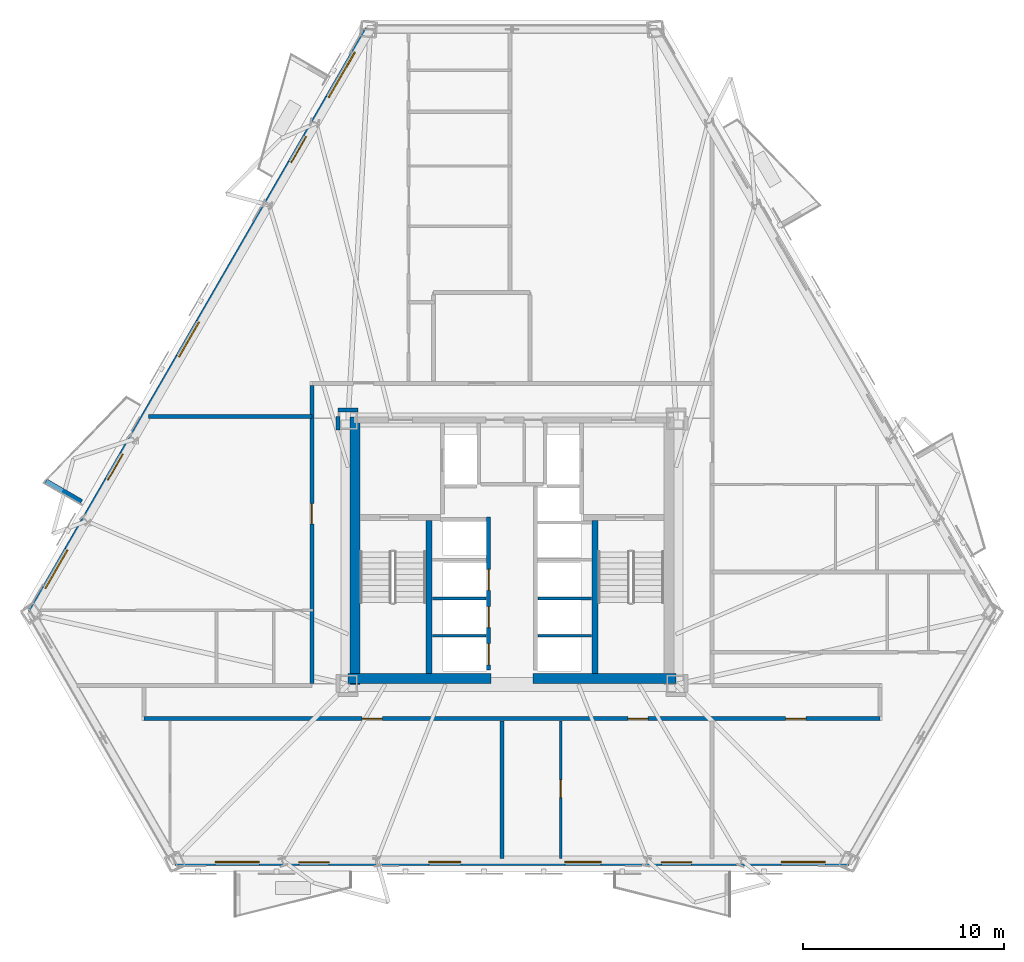
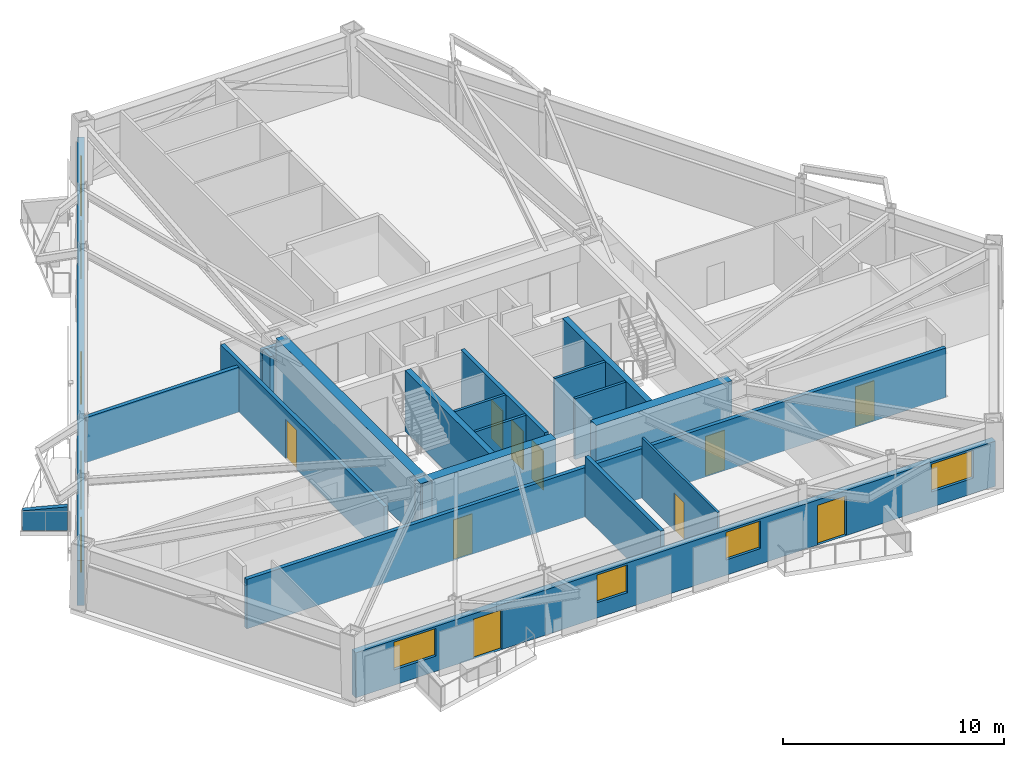
# One storey, part 3 of 10: 20 walls, 12 doors, 7 windows, 19 openings.
"""IFC4 building model written with IfcOpenShell, lengths in metres."""

from ifc_helpers import new_model, si_unit, direction, frame, frame_2d, origin, place, context, subcontext, project, spatial, polyline, rectangle, outline, extrude, material, layer, layer_set, type_object, element, fill, save


model = new_model("IFC4")

# Units and contexts
model_context = context("Model", 3, precision=1e-05, world=origin(), true_north=direction((0.0, 1.0)))
body_context = subcontext(model_context, "Body", "Model", "MODEL_VIEW")
ifc_project = project(units=[si_unit("LENGTHUNIT", "METRE"), si_unit("AREAUNIT", "SQUARE_METRE"), si_unit("VOLUMEUNIT", "CUBIC_METRE"), si_unit("PLANEANGLEUNIT", "RADIAN"), si_unit("MASSUNIT", "GRAM", prefix="KILO")], contexts=[model_context])

# Site, building, storey
site_placement = place(None, origin())
site = spatial("IfcSite", under=ifc_project, at=site_placement, CompositionType="ELEMENT")
building_placement = place(site_placement, origin())
building = spatial("IfcBuilding", under=site, at=building_placement, Name="Oramaril Tower", CompositionType="ELEMENT")
storey_placement = place(building_placement, frame((0.0, 0.0, 56.10009765625)))
storey = spatial("IfcBuildingStorey", under=building, at=storey_placement, Name="L14", CompositionType="ELEMENT", Elevation=56.10009765625)

# Wall, openings, doors, windows
ifc_material_1 = material(Name="Warm Cream Limestone", Category="masonry")
ifc_layer_1 = layer(ifc_material_1, 0.340087890625)
ifc_layer_set_1 = layer_set([ifc_layer_1], Name="WT-EXT34")
wall_type_1 = type_object("IfcWallType", Name="WT-EXT34", PredefinedType="SOLIDWALL", material=ifc_layer_set_1)
wall_1_placement = place(storey_placement, frame((20.753173828125, 2.17626953125, 0.0), z_axis=(0.0, 0.0, 1.0), x_axis=(1.0, 0.0, 0.0)))
wall_1 = element("IfcWall", 1, at=wall_1_placement, inside=storey, type_object=wall_type_1, Name="L14 Tower Limestone Facade Wall 2M", PredefinedType="SOLIDWALL", context=body_context, shape_type="SweptSolid", body=[
    extrude(rectangle(XDim=33.49365234375, YDim=0.340087890625, at=frame_2d((16.746826171875, 0.0))), origin(), (0.0, 0.0, 1.0), 2.493896484375),
])
opening_1_placement = place(wall_1_placement, frame((6.159423828125, 0.0, 0.0)))
opening_1 = element("IfcOpeningElement", 2, at=opening_1_placement, cuts=wall_1, Name="Opening D-L14-BAL-S1", PredefinedType="OPENING", context=body_context, shape_type="SweptSolid", body=[
    extrude(rectangle(XDim=1.5, YDim=2.199951171875, at=frame_2d((0.75, 1.10009765625))), frame((0.0, 0.169921875, 0.0), z_axis=(0.0, -1.0, 0.0), x_axis=(1.0, 0.0, 0.0)), (0.0, 0.0, 1.0), 0.340087890625),
])
opening_2_placement = place(wall_1_placement, frame((24.16943359375, 0.0, 0.0)))
opening_2 = element("IfcOpeningElement", 3, at=opening_2_placement, cuts=wall_1, Name="Opening D-L14-BAL-S2", PredefinedType="OPENING", context=body_context, shape_type="SweptSolid", body=[
    extrude(rectangle(XDim=1.5, YDim=2.199951171875, at=frame_2d((0.75, 1.10009765625))), frame((0.0, 0.169921875, 0.0), z_axis=(0.0, -1.0, 0.0), x_axis=(1.0, 0.0, 0.0)), (0.0, 0.0, 1.0), 0.340087890625),
])
opening_3_placement = place(wall_1_placement, frame((1.99365234375, 0.0, 0.85009765625)))
opening_3 = element("IfcOpeningElement", 4, at=opening_3_placement, cuts=wall_1, Name="Opening WN-04", PredefinedType="OPENING", context=body_context, shape_type="SweptSolid", body=[
    extrude(rectangle(XDim=2.199951171875, YDim=1.533935546875, at=frame_2d((1.10009765625, 0.76708984375))), frame((0.0, 0.169921875, 0.0), z_axis=(0.0, -1.0, 0.0), x_axis=(1.0, 0.0, 0.0)), (0.0, 0.0, 1.0), 0.340087890625),
])
opening_4_placement = place(wall_1_placement, frame((12.61181640625, 0.0, 0.85009765625)))
opening_4 = element("IfcOpeningElement", 5, at=opening_4_placement, cuts=wall_1, Name="Opening WN-07", PredefinedType="OPENING", context=body_context, shape_type="SweptSolid", body=[
    extrude(rectangle(XDim=1.60009765625, YDim=1.533935546875, at=frame_2d((0.800048828125, 0.76708984375))), frame((0.0, 0.169921875, 0.0), z_axis=(0.0, -1.0, 0.0), x_axis=(1.0, 0.0, 0.0)), (0.0, 0.0, 1.0), 0.340087890625),
])
opening_5_placement = place(wall_1_placement, frame((19.377685546875, 0.0, 0.85009765625)))
opening_5 = element("IfcOpeningElement", 6, at=opening_5_placement, cuts=wall_1, Name="Opening WN-06", PredefinedType="OPENING", context=body_context, shape_type="SweptSolid", body=[
    extrude(rectangle(XDim=1.800048828125, YDim=1.533935546875, at=frame_2d((0.89990234375, 0.76708984375))), frame((0.0, 0.169921875, 0.0), z_axis=(0.0, -1.0, 0.0), x_axis=(1.0, 0.0, 0.0)), (0.0, 0.0, 1.0), 0.340087890625),
])
opening_6_placement = place(wall_1_placement, frame((30.118896484375, 0.0, 0.85009765625)))
opening_6 = element("IfcOpeningElement", 7, at=opening_6_placement, cuts=wall_1, Name="Opening WN-04", PredefinedType="OPENING", context=body_context, shape_type="SweptSolid", body=[
    extrude(rectangle(XDim=2.199951171875, YDim=1.533935546875, at=frame_2d((1.10009765625, 0.76708984375))), frame((0.0, 0.169921875, 0.0), z_axis=(0.0, -1.0, 0.0), x_axis=(1.0, 0.0, 0.0)), (0.0, 0.0, 1.0), 0.340087890625),
])
ifc_material_2 = material(Name="Anodised Aluminium 6063-T6", Category="aluminium")
door_type_1 = type_object("IfcDoorType", Name="DT-BAL", OperationType="NOTDEFINED", PredefinedType="DOOR", material=ifc_material_2)
door_1_placement = place(opening_1_placement, origin())
door_1 = element("IfcDoor", 8, at=door_1_placement, inside=storey, type_object=door_type_1, Name="L14 Balcony Glazed Door L14-BAL-S1", OperationType="SINGLE_SWING_LEFT", OverallHeight=2.199951171875, OverallWidth=1.5, PredefinedType="DOOR", context=body_context, shape_type="SweptSolid", body=[
    extrude(rectangle(XDim=1.5, YDim=2.199951171875, at=frame_2d((0.75, 1.10009765625))), frame((0.0, 0.02490234375, 0.0), z_axis=(0.0, -1.0, 0.0), x_axis=(1.0, 0.0, 0.0)), (0.0, 0.0, 1.0), 0.050048828125),
])
fill(opening_1, door_1)
door_2_placement = place(opening_2_placement, origin())
door_2 = element("IfcDoor", 9, at=door_2_placement, inside=storey, type_object=door_type_1, Name="L14 Balcony Glazed Door L14-BAL-S2", OperationType="SINGLE_SWING_RIGHT", OverallHeight=2.199951171875, OverallWidth=1.5, PredefinedType="DOOR", context=body_context, shape_type="SweptSolid", body=[
    extrude(rectangle(XDim=1.5, YDim=2.199951171875, at=frame_2d((0.75, 1.10009765625))), frame((0.0, 0.02490234375, 0.0), z_axis=(0.0, -1.0, 0.0), x_axis=(1.0, 0.0, 0.0)), (0.0, 0.0, 1.0), 0.050048828125),
])
fill(opening_2, door_2)
ifc_material_3 = material(Name="Coastal Low-E Insulated Glass", Category="glass")
window_type_1 = type_object("IfcWindowType", Name="WNT-04", PartitioningType="SINGLE_PANEL", PredefinedType="WINDOW", material=ifc_material_3)
window_1_placement = place(opening_3_placement, origin())
window_1 = element("IfcWindow", 10, at=window_1_placement, inside=storey, type_object=window_type_1, Name="L14 Chicago Bay Window WN-04", OverallHeight=1.533935546875, OverallWidth=2.199951171875, PartitioningType="SINGLE_PANEL", PredefinedType="WINDOW", context=body_context, shape_type="SweptSolid", body=[
    extrude(rectangle(XDim=2.199951171875, YDim=1.533935546875, at=frame_2d((1.10009765625, 0.76708984375))), frame((0.0, 0.030029296875, 0.0), z_axis=(0.0, -1.0, 0.0), x_axis=(1.0, 0.0, 0.0)), (0.0, 0.0, 1.0), 0.06005859375),
])
fill(opening_3, window_1)
window_2_placement = place(opening_6_placement, origin())
window_2 = element("IfcWindow", 11, at=window_2_placement, inside=storey, type_object=window_type_1, Name="L14 Chicago Bay Window WN-04", OverallHeight=1.533935546875, OverallWidth=2.199951171875, PartitioningType="SINGLE_PANEL", PredefinedType="WINDOW", context=body_context, shape_type="SweptSolid", body=[
    extrude(rectangle(XDim=2.199951171875, YDim=1.533935546875, at=frame_2d((1.10009765625, 0.76708984375))), frame((0.0, 0.030029296875, 0.0), z_axis=(0.0, -1.0, 0.0), x_axis=(1.0, 0.0, 0.0)), (0.0, 0.0, 1.0), 0.06005859375),
])
fill(opening_6, window_2)
ifc_material_4 = material(Name="Coastal Low-E Insulated Glass", Category="glass")
window_type_2 = type_object("IfcWindowType", Name="WNT-06", PartitioningType="SINGLE_PANEL", PredefinedType="WINDOW", material=ifc_material_4)
window_3_placement = place(opening_5_placement, origin())
window_3 = element("IfcWindow", 12, at=window_3_placement, inside=storey, type_object=window_type_2, Name="L14 Chicago Bay Window WN-06", OverallHeight=1.533935546875, OverallWidth=1.800048828125, PartitioningType="SINGLE_PANEL", PredefinedType="WINDOW", context=body_context, shape_type="SweptSolid", body=[
    extrude(rectangle(XDim=1.800048828125, YDim=1.533935546875, at=frame_2d((0.89990234375, 0.76708984375))), frame((0.0, 0.030029296875, 0.0), z_axis=(0.0, -1.0, 0.0), x_axis=(1.0, 0.0, 0.0)), (0.0, 0.0, 1.0), 0.06005859375),
])
fill(opening_5, window_3)
ifc_material_5 = material(Name="Coastal Low-E Insulated Glass", Category="glass")
window_type_3 = type_object("IfcWindowType", Name="WNT-07", PartitioningType="SINGLE_PANEL", PredefinedType="WINDOW", material=ifc_material_5)
window_4_placement = place(opening_4_placement, origin())
window_4 = element("IfcWindow", 13, at=window_4_placement, inside=storey, type_object=window_type_3, Name="L14 Chicago Bay Window WN-07", OverallHeight=1.533935546875, OverallWidth=1.60009765625, PartitioningType="SINGLE_PANEL", PredefinedType="WINDOW", context=body_context, shape_type="SweptSolid", body=[
    extrude(rectangle(XDim=1.60009765625, YDim=1.533935546875, at=frame_2d((0.800048828125, 0.76708984375))), frame((0.0, 0.030029296875, 0.0), z_axis=(0.0, -1.0, 0.0), x_axis=(1.0, 0.0, 0.0)), (0.0, 0.0, 1.0), 0.06005859375),
])
fill(opening_4, window_4)

wall_2_placement = place(storey_placement, frame((30.35107421875, 43.565185546875, 0.0), z_axis=(0.0, 0.0, 1.0), x_axis=(-0.500002389912, -0.866024023964, 0.0)))
wall_2 = element("IfcWall", 14, at=wall_2_placement, inside=storey, type_object=wall_type_1, Name="L14 Tower Limestone Facade Wall 6M", PredefinedType="SOLIDWALL", context=body_context, shape_type="SweptSolid", body=[
    extrude(rectangle(XDim=33.493896484375, YDim=0.340087890625, at=frame_2d((16.7470703125, 0.0))), origin(), (0.0, 0.0, 1.0), 2.493896484375),
])
opening_7_placement = place(wall_2_placement, frame((6.159423828125, 0.0, 0.0)))
opening_7 = element("IfcOpeningElement", 15, at=opening_7_placement, cuts=wall_2, Name="Opening D-L14-BAL-NW1", PredefinedType="OPENING", context=body_context, shape_type="SweptSolid", body=[
    extrude(rectangle(XDim=1.5, YDim=2.199951171875, at=frame_2d((0.75, 1.10009765625))), frame((0.0, 0.169921875, 0.0), z_axis=(0.0, -1.0, 0.0), x_axis=(1.0, 0.0, 0.0)), (0.0, 0.0, 1.0), 0.340087890625),
])
opening_8_placement = place(wall_2_placement, frame((24.37939453125, 0.0, 0.0)))
opening_8 = element("IfcOpeningElement", 16, at=opening_8_placement, cuts=wall_2, Name="Opening D-L14-BAL-NW2", PredefinedType="OPENING", context=body_context, shape_type="SweptSolid", body=[
    extrude(rectangle(XDim=1.5, YDim=2.199951171875, at=frame_2d((0.75, 1.10009765625))), frame((0.0, 0.169921875, 0.0), z_axis=(0.0, -1.0, 0.0), x_axis=(1.0, 0.0, 0.0)), (0.0, 0.0, 1.0), 0.340087890625),
])
opening_9_placement = place(wall_2_placement, frame((29.885986328125, 0.0, 0.85009765625)))
opening_9 = element("IfcOpeningElement", 17, at=opening_9_placement, cuts=wall_2, Name="Opening WN-04", PredefinedType="OPENING", context=body_context, shape_type="SweptSolid", body=[
    extrude(rectangle(XDim=2.199951171875, YDim=1.533935546875, at=frame_2d((1.10009765625, 0.76708984375))), frame((0.0, 0.169921875, 0.0), z_axis=(0.0, -1.0, 0.0), x_axis=(1.0, 0.0, 0.0)), (0.0, 0.0, 1.0), 0.340087890625),
])
opening_10_placement = place(wall_2_placement, frame((1.3203125, 0.0, 0.85009765625)))
opening_10 = element("IfcOpeningElement", 18, at=opening_10_placement, cuts=wall_2, Name="Opening WN-02", PredefinedType="OPENING", context=body_context, shape_type="SweptSolid", body=[
    extrude(rectangle(XDim=2.60009765625, YDim=1.533935546875, at=frame_2d((1.300048828125, 0.76708984375))), frame((0.0, 0.169921875, 0.0), z_axis=(0.0, -1.0, 0.0), x_axis=(1.0, 0.0, 0.0)), (0.0, 0.0, 1.0), 0.340087890625),
])
opening_11_placement = place(wall_2_placement, frame((16.806396484375, 0.0, 0.85009765625)))
opening_11 = element("IfcOpeningElement", 19, at=opening_11_placement, cuts=wall_2, Name="Opening WN-05", PredefinedType="OPENING", context=body_context, shape_type="SweptSolid", body=[
    extrude(rectangle(XDim=2.0, YDim=1.533935546875, at=frame_2d((1.0, 0.76708984375))), frame((0.0, 0.169921875, 0.0), z_axis=(0.0, -1.0, 0.0), x_axis=(1.0, 0.0, 0.0)), (0.0, 0.0, 1.0), 0.340087890625),
])
door_3_placement = place(opening_7_placement, origin())
door_3 = element("IfcDoor", 20, at=door_3_placement, inside=storey, type_object=door_type_1, Name="L14 Balcony Glazed Door L14-BAL-NW1", OperationType="SINGLE_SWING_LEFT", OverallHeight=2.199951171875, OverallWidth=1.5, PredefinedType="DOOR", context=body_context, shape_type="SweptSolid", body=[
    extrude(rectangle(XDim=1.5, YDim=2.199951171875, at=frame_2d((0.75, 1.10009765625))), frame((0.0, 0.02490234375, 0.0), z_axis=(0.0, -1.0, 0.0), x_axis=(1.0, 0.0, 0.0)), (0.0, 0.0, 1.0), 0.050048828125),
])
fill(opening_7, door_3)
door_4_placement = place(opening_8_placement, origin())
door_4 = element("IfcDoor", 21, at=door_4_placement, inside=storey, type_object=door_type_1, Name="L14 Balcony Glazed Door L14-BAL-NW2", OperationType="SINGLE_SWING_RIGHT", OverallHeight=2.199951171875, OverallWidth=1.5, PredefinedType="DOOR", context=body_context, shape_type="SweptSolid", body=[
    extrude(rectangle(XDim=1.5, YDim=2.199951171875, at=frame_2d((0.75, 1.10009765625))), frame((0.0, 0.02490234375, 0.0), z_axis=(0.0, -1.0, 0.0), x_axis=(1.0, 0.0, 0.0)), (0.0, 0.0, 1.0), 0.050048828125),
])
fill(opening_8, door_4)
ifc_material_6 = material(Name="Coastal Low-E Insulated Glass", Category="glass")
window_type_4 = type_object("IfcWindowType", Name="WNT-02", PartitioningType="SINGLE_PANEL", PredefinedType="WINDOW", material=ifc_material_6)
window_5_placement = place(opening_10_placement, origin())
window_5 = element("IfcWindow", 22, at=window_5_placement, inside=storey, type_object=window_type_4, Name="L14 Chicago Bay Window WN-02", OverallHeight=1.533935546875, OverallWidth=2.60009765625, PartitioningType="SINGLE_PANEL", PredefinedType="WINDOW", context=body_context, shape_type="SweptSolid", body=[
    extrude(rectangle(XDim=2.60009765625, YDim=1.533935546875, at=frame_2d((1.300048828125, 0.76708984375))), frame((0.0, 0.030029296875, 0.0), z_axis=(0.0, -1.0, 0.0), x_axis=(1.0, 0.0, 0.0)), (0.0, 0.0, 1.0), 0.06005859375),
])
fill(opening_10, window_5)
window_6_placement = place(opening_9_placement, origin())
window_6 = element("IfcWindow", 23, at=window_6_placement, inside=storey, type_object=window_type_1, Name="L14 Chicago Bay Window WN-04", OverallHeight=1.533935546875, OverallWidth=2.199951171875, PartitioningType="SINGLE_PANEL", PredefinedType="WINDOW", context=body_context, shape_type="SweptSolid", body=[
    extrude(rectangle(XDim=2.199951171875, YDim=1.533935546875, at=frame_2d((1.10009765625, 0.76708984375))), frame((0.0, 0.030029296875, 0.0), z_axis=(0.0, -1.0, 0.0), x_axis=(1.0, 0.0, 0.0)), (0.0, 0.0, 1.0), 0.06005859375),
])
fill(opening_9, window_6)
ifc_material_7 = material(Name="Coastal Low-E Insulated Glass", Category="glass")
window_type_5 = type_object("IfcWindowType", Name="WNT-05", PartitioningType="SINGLE_PANEL", PredefinedType="WINDOW", material=ifc_material_7)
window_7_placement = place(opening_11_placement, origin())
window_7 = element("IfcWindow", 24, at=window_7_placement, inside=storey, type_object=window_type_5, Name="L14 Chicago Bay Window WN-05", OverallHeight=1.533935546875, OverallWidth=2.0, PartitioningType="SINGLE_PANEL", PredefinedType="WINDOW", context=body_context, shape_type="SweptSolid", body=[
    extrude(rectangle(XDim=2.0, YDim=1.533935546875, at=frame_2d((1.0, 0.76708984375))), frame((0.0, 0.030029296875, 0.0), z_axis=(0.0, -1.0, 0.0), x_axis=(1.0, 0.0, 0.0)), (0.0, 0.0, 1.0), 0.06005859375),
])
fill(opening_11, window_7)

# Wall
ifc_material_8 = material(Name="Concrete C40/50", Category="concrete")
ifc_layer_2 = layer(ifc_material_8, 0.22998046875)
ifc_layer_set_2 = layer_set([ifc_layer_2], Name="WT-PRP23")
wall_type_2 = type_object("IfcWallType", Name="WT-PRP23", PredefinedType="PARAPET", material=ifc_layer_set_2)
wall_3_placement = place(storey_placement, frame((16.10595703125, 20.087890625, 0.0), z_axis=(0.0, 0.0, 1.0), x_axis=(-0.866042246008, 0.499970827278, 0.0)))
element("IfcWall", 25, at=wall_3_placement, inside=storey, type_object=wall_type_2, Name="L14 Trapezoidal Balcony Frame Cheek L14-BAL-NW2-R", PredefinedType="PARAPET", context=body_context, shape_type="SweptSolid", body=[
    extrude(outline(polyline([(0.0, 0.0), (2.0419921875, 0.0), (2.0419921875, 1.099853515625), (0.0, 1.31982421875), (0.0, 0.0)])), frame((0.0, 0.114990234375, 0.0), z_axis=(0.0, -1.0, 0.0), x_axis=(1.0, 0.0, 0.0)), (0.0, 0.0, 1.0), 0.22998046875),
])

# Wall, opening, door
ifc_material_9 = material(Name="Acoustic Gypsum Board Partition")
ifc_layer_3 = layer(ifc_material_9, 0.1201171875)
ifc_layer_set_3 = layer_set([ifc_layer_3], Name="WT-PT12")
wall_type_3 = type_object("IfcWallType", Name="WT-PT12", PredefinedType="PARTITIONING", material=ifc_layer_set_3)
wall_4_placement = place(storey_placement, frame((39.929931640625, 2.35009765625, 0.0), z_axis=(0.0, 0.0, 1.0), x_axis=(0.0, 1.0, 0.0)))
wall_4 = element("IfcWall", 26, at=wall_4_placement, inside=storey, type_object=wall_type_3, Name="L14 Interior Partition PT-12", PredefinedType="PARTITIONING", context=body_context, shape_type="SweptSolid", body=[
    extrude(rectangle(XDim=6.845947265625, YDim=0.1201171875, at=frame_2d((3.4228515625, 0.0))), origin(), (0.0, 0.0, 1.0), 3.35986328125),
])
opening_12_placement = place(wall_4_placement, frame((3.02294921875, 0.0, 0.0)))
opening_12 = element("IfcOpeningElement", 27, at=opening_12_placement, cuts=wall_4, Name="Opening D-L14-23", PredefinedType="OPENING", context=body_context, shape_type="SweptSolid", body=[
    extrude(rectangle(XDim=0.8798828125, YDim=2.080078125, at=frame_2d((0.43994140625, 1.0400390625))), frame((0.0, 0.06005859375, 0.0), z_axis=(0.0, -1.0, 0.0), x_axis=(1.0, 0.0, 0.0)), (0.0, 0.0, 1.0), 0.1201171875),
])
ifc_material_10 = material(Name="FSC Brazilian Freijo Hardwood", Category="wood")
door_type_2 = type_object("IfcDoorType", Name="DT-BATH", OperationType="NOTDEFINED", PredefinedType="DOOR", material=ifc_material_10)
door_5_placement = place(opening_12_placement, origin())
door_5 = element("IfcDoor", 28, at=door_5_placement, inside=storey, type_object=door_type_2, Name="L14 Flat L14-U2 Bathroom Door D-L14-23", OperationType="SINGLE_SWING_RIGHT", OverallHeight=2.080078125, OverallWidth=0.8798828125, PredefinedType="DOOR", context=body_context, shape_type="SweptSolid", body=[
    extrude(rectangle(XDim=0.8798828125, YDim=2.080078125, at=frame_2d((0.43994140625, 1.0400390625))), frame((0.0, 0.02490234375, 0.0), z_axis=(0.0, -1.0, 0.0), x_axis=(1.0, 0.0, 0.0)), (0.0, 0.0, 1.0), 0.050048828125),
])
fill(opening_12, door_5)

# Walls
ifc_material_11 = material(Name="Acoustic Gypsum Board Partition")
ifc_layer_4 = layer(ifc_material_11, 0.139892578125)
ifc_layer_set_4 = layer_set([ifc_layer_4], Name="WT-PT14")
wall_type_4 = type_object("IfcWallType", Name="WT-PT14", PredefinedType="PARTITIONING", material=ifc_layer_set_4)
for number, where, z_axis, x_axis, name in (
    (29, (33.56005859375, 13.419921875, 0.0), (0.0, 0.0, 1.0), (1.0, 0.0, 0.0), "L14 West Lift Divider"),
    (30, (33.56005859375, 15.27001953125, 0.0), (0.0, 0.0, 1.0), (1.0, 0.0, 0.0), "L14 West Lift Divider"),
    (31, (38.780029296875, 13.419921875, 0.0), (0.0, 0.0, 1.0), (1.0, 0.0, 0.0), "L14 East Lift Divider"),
    (32, (38.780029296875, 15.27001953125, 0.0), (0.0, 0.0, 1.0), (1.0, 0.0, 0.0), "L14 East Lift Divider"),
):
    element("IfcWall", number, at=place(storey_placement, frame(where, z_axis=z_axis, x_axis=x_axis)), inside=storey, type_object=wall_type_4, Name=name, PredefinedType="PARTITIONING", context=body_context, shape_type="SweptSolid", body=[
        extrude(rectangle(XDim=2.659912109375, YDim=0.139892578125, at=frame_2d((1.330078125, 0.0))), origin(), (0.0, 0.0, 1.0), 3.35986328125),
    ])

# Wall, openings, doors
ifc_material_12 = material(Name="Autoclaved Cellular Concrete Block", Category="concrete")
ifc_layer_5 = layer(ifc_material_12, 0.199951171875)
ifc_layer_set_5 = layer_set([ifc_layer_5], Name="WT-PT20")
wall_type_5 = type_object("IfcWallType", Name="WT-PT20", PredefinedType="PARTITIONING", material=ifc_layer_set_5)
wall_5_placement = place(storey_placement, frame((19.199951171875, 9.300048828125, 0.0), z_axis=(0.0, 0.0, 1.0), x_axis=(1.0, 0.0, 0.0)))
wall_5 = element("IfcWall", 33, at=wall_5_placement, inside=storey, type_object=wall_type_5, Name="L14 Interior Partition PT-20", PredefinedType="PARTITIONING", context=body_context, shape_type="SweptSolid", body=[
    extrude(rectangle(XDim=36.60009765625, YDim=0.199951171875, at=frame_2d((18.300048828125, 0.0))), origin(), (0.0, 0.0, 1.0), 2.73779296875),
])
opening_13_placement = place(wall_5_placement, frame((10.854736328125, 0.0, 0.0)))
opening_13 = element("IfcOpeningElement", 34, at=opening_13_placement, cuts=wall_5, Name="Opening D-L14-01", PredefinedType="OPENING", context=body_context, shape_type="SweptSolid", body=[
    extrude(rectangle(XDim=1.0, YDim=2.179931640625, at=frame_2d((0.5, 1.08984375))), frame((0.0, 0.10009765625, 0.0), z_axis=(0.0, -1.0, 0.0), x_axis=(1.0, 0.0, 0.0)), (0.0, 0.0, 1.0), 0.199951171875),
])
opening_14_placement = place(wall_5_placement, frame((24.0615234375, 0.0, 0.0)))
opening_14 = element("IfcOpeningElement", 35, at=opening_14_placement, cuts=wall_5, Name="Opening D-L14-02", PredefinedType="OPENING", context=body_context, shape_type="SweptSolid", body=[
    extrude(rectangle(XDim=1.0, YDim=2.179931640625, at=frame_2d((0.5, 1.08984375))), frame((0.0, 0.10009765625, 0.0), z_axis=(0.0, -1.0, 0.0), x_axis=(1.0, 0.0, 0.0)), (0.0, 0.0, 1.0), 0.199951171875),
])
opening_15_placement = place(wall_5_placement, frame((31.904052734375, 0.0, 0.0)))
opening_15 = element("IfcOpeningElement", 36, at=opening_15_placement, cuts=wall_5, Name="Opening D-L14-03", PredefinedType="OPENING", context=body_context, shape_type="SweptSolid", body=[
    extrude(rectangle(XDim=1.0, YDim=2.179931640625, at=frame_2d((0.5, 1.08984375))), frame((0.0, 0.10009765625, 0.0), z_axis=(0.0, -1.0, 0.0), x_axis=(1.0, 0.0, 0.0)), (0.0, 0.0, 1.0), 0.199951171875),
])
ifc_material_13 = material(Name="FSC Brazilian Freijo Hardwood", Category="wood")
door_type_3 = type_object("IfcDoorType", Name="DT-APT", OperationType="NOTDEFINED", PredefinedType="DOOR", material=ifc_material_13)
door_6_placement = place(opening_13_placement, origin())
door_6 = element("IfcDoor", 37, at=door_6_placement, inside=storey, type_object=door_type_3, Name="L14 Flat L14-U1 Kitchen and Studio Apartment Door D-L14-01", OperationType="SINGLE_SWING_RIGHT", OverallHeight=2.179931640625, OverallWidth=1.0, PredefinedType="DOOR", context=body_context, shape_type="SweptSolid", body=[
    extrude(rectangle(XDim=1.0, YDim=2.179931640625, at=frame_2d((0.5, 1.08984375))), frame((0.0, 0.02490234375, 0.0), z_axis=(0.0, -1.0, 0.0), x_axis=(1.0, 0.0, 0.0)), (0.0, 0.0, 1.0), 0.050048828125),
])
fill(opening_13, door_6)
door_7_placement = place(opening_14_placement, origin())
door_7 = element("IfcDoor", 38, at=door_7_placement, inside=storey, type_object=door_type_3, Name="L14 Flat L14-U2 Kitchen and Studio Apartment Door D-L14-02", OperationType="SINGLE_SWING_LEFT", OverallHeight=2.179931640625, OverallWidth=1.0, PredefinedType="DOOR", context=body_context, shape_type="SweptSolid", body=[
    extrude(rectangle(XDim=1.0, YDim=2.179931640625, at=frame_2d((0.5, 1.08984375))), frame((0.0, 0.02490234375, 0.0), z_axis=(0.0, -1.0, 0.0), x_axis=(1.0, 0.0, 0.0)), (0.0, 0.0, 1.0), 0.050048828125),
])
fill(opening_14, door_7)
door_8_placement = place(opening_15_placement, origin())
door_8 = element("IfcDoor", 39, at=door_8_placement, inside=storey, type_object=door_type_3, Name="L14 Flat L14-U4 Penthouse Living and Dining Room Door D-L14-03", OperationType="SINGLE_SWING_RIGHT", OverallHeight=2.179931640625, OverallWidth=1.0, PredefinedType="DOOR", context=body_context, shape_type="SweptSolid", body=[
    extrude(rectangle(XDim=1.0, YDim=2.179931640625, at=frame_2d((0.5, 1.08984375))), frame((0.0, 0.02490234375, 0.0), z_axis=(0.0, -1.0, 0.0), x_axis=(1.0, 0.0, 0.0)), (0.0, 0.0, 1.0), 0.050048828125),
])
fill(opening_15, door_8)

# Walls
wall_6_placement = place(storey_placement, frame((19.440673828125, 24.320068359375, 0.0), z_axis=(0.0, 0.0, 1.0), x_axis=(1.0, 0.0, 0.0)))
element("IfcWall", 40, at=wall_6_placement, inside=storey, type_object=wall_type_5, Name="L14 Interior Partition PT-20", PredefinedType="PARTITIONING", context=body_context, shape_type="SweptSolid", body=[
    extrude(rectangle(XDim=8.109375, YDim=0.199951171875, at=frame_2d((4.0546875, 0.0))), origin(), (0.0, 0.0, 1.0), 2.493896484375),
])
wall_7_placement = place(storey_placement, frame((28.85498046875, 24.639892578125, 0.0), z_axis=(0.0, 0.0, 1.0), x_axis=(1.0, 0.0, 0.0)))
element("IfcWall", 41, at=wall_7_placement, inside=storey, type_object=wall_type_5, Name="L14 Interior Partition PT-20", PredefinedType="PARTITIONING", context=body_context, shape_type="SweptSolid", body=[
    extrude(rectangle(XDim=0.989990234375, YDim=0.199951171875, at=frame_2d((0.4951171875, 0.0))), origin(), (0.0, 0.0, 1.0), 2.73779296875),
])

# Wall, opening, door
wall_8_placement = place(storey_placement, frame((27.550048828125, 11.053955078125, 0.0), z_axis=(0.0, 0.0, 1.0), x_axis=(0.0, 1.0, 0.0)))
wall_8 = element("IfcWall", 42, at=wall_8_placement, inside=storey, type_object=wall_type_5, Name="L14 Interior Partition PT-20", PredefinedType="PARTITIONING", context=body_context, shape_type="SweptSolid", body=[
    extrude(rectangle(XDim=14.81201171875, YDim=0.199951171875, at=frame_2d((7.406005859375, 0.0))), origin(), (0.0, 0.0, 1.0), 2.73779296875),
])
opening_16_placement = place(wall_8_placement, frame((7.931884765625, 0.0, 0.0)))
opening_16 = element("IfcOpeningElement", 43, at=opening_16_placement, cuts=wall_8, Name="Opening D-L14-16", PredefinedType="OPENING", context=body_context, shape_type="SweptSolid", body=[
    extrude(rectangle(XDim=1.0, YDim=2.179931640625, at=frame_2d((0.5, 1.08984375))), frame((0.0, 0.10009765625, 0.0), z_axis=(0.0, -1.0, 0.0), x_axis=(1.0, 0.0, 0.0)), (0.0, 0.0, 1.0), 0.199951171875),
])
door_9_placement = place(opening_16_placement, origin())
door_9 = element("IfcDoor", 44, at=door_9_placement, inside=storey, type_object=door_type_3, Name="L14 Flat L14-U3 Penthouse Living and Dining Room Door D-L14-16", OperationType="SINGLE_SWING_LEFT", OverallHeight=2.179931640625, OverallWidth=1.0, PredefinedType="DOOR", context=body_context, shape_type="SweptSolid", body=[
    extrude(rectangle(XDim=1.0, YDim=2.179931640625, at=frame_2d((0.5, 1.08984375))), frame((0.0, 0.02490234375, 0.0), z_axis=(0.0, -1.0, 0.0), x_axis=(1.0, 0.0, 0.0)), (0.0, 0.0, 1.0), 0.050048828125),
])
fill(opening_16, door_9)

# Walls
wall_9_placement = place(storey_placement, frame((28.860107421875, 23.655029296875, 0.0), z_axis=(0.0, 0.0, 1.0), x_axis=(0.0, 1.0, 0.0)))
element("IfcWall", 45, at=wall_9_placement, inside=storey, type_object=wall_type_5, Name="L14 Interior Partition PT-20", PredefinedType="PARTITIONING", context=body_context, shape_type="SweptSolid", body=[
    extrude(rectangle(XDim=0.6650390625, YDim=0.199951171875, at=frame_2d((0.33251953125, 0.0))), origin(), (0.0, 0.0, 1.0), 2.94580078125),
])
wall_10_placement = place(storey_placement, frame((37.0, 2.35009765625, 0.0), z_axis=(0.0, 0.0, 1.0), x_axis=(0.0, 1.0, 0.0)))
element("IfcWall", 46, at=wall_10_placement, inside=storey, type_object=wall_type_5, Name="L14 Interior Partition PT-20", PredefinedType="PARTITIONING", context=body_context, shape_type="SweptSolid", body=[
    extrude(rectangle(XDim=6.845947265625, YDim=0.199951171875, at=frame_2d((3.4228515625, 0.0))), origin(), (0.0, 0.0, 1.0), 3.35986328125),
])
ifc_material_14 = material(Name="Concrete C50/60", Category="concrete")
ifc_layer_6 = layer(ifc_material_14, 0.300048828125)
ifc_layer_set_6 = layer_set([ifc_layer_6], Name="WT-SH30")
wall_type_6 = type_object("IfcWallType", Name="WT-SH30", PredefinedType="SHEAR", material=ifc_layer_set_6)
for number, where, z_axis, x_axis, name in (
    (47, (33.3798828125, 11.5400390625, 0.0), (0.0, 0.0, 1.0), (0.0, 1.0, 0.0), "L14 Core Shear Wall CW-ST1E"),
    (48, (41.6201171875, 11.5400390625, 0.0), (0.0, 0.0, 1.0), (0.0, 1.0, 0.0), "L14 Core Shear Wall CW-ST2W"),
):
    element("IfcWall", number, at=place(storey_placement, frame(where, z_axis=z_axis, x_axis=x_axis)), inside=storey, type_object=wall_type_6, Name=name, PredefinedType="SHEAR", context=body_context, shape_type="SweptSolid", body=[
        extrude(rectangle(XDim=7.619873046875, YDim=0.300048828125, at=frame_2d((3.81005859375, 0.0))), origin(), (0.0, 0.0, 1.0), 3.35986328125),
    ])
ifc_material_15 = material(Name="Concrete C50/60", Category="concrete")
ifc_layer_7 = layer(ifc_material_15, 0.5)
ifc_layer_set_7 = layer_set([ifc_layer_7], Name="WT-SH50")
wall_type_7 = type_object("IfcWallType", Name="WT-SH50", PredefinedType="SHEAR", material=ifc_layer_set_7)
wall_11_placement = place(storey_placement, frame((29.68994140625, 11.0, 0.0), z_axis=(0.0, 0.0, 1.0), x_axis=(0.0, 1.0, 0.0)))
element("IfcWall", 49, at=wall_11_placement, inside=storey, type_object=wall_type_7, Name="L14 Core Shear Wall CW-W", PredefinedType="SHEAR", context=body_context, shape_type="SweptSolid", body=[
    extrude(rectangle(XDim=13.300048828125, YDim=0.5, at=frame_2d((6.64990234375, 0.0))), origin(), (0.0, 0.0, 1.0), 3.35986328125),
])
for number, where, z_axis, x_axis, name in (
    (50, (29.35009765625, 11.2900390625, 0.0), (0.0, 0.0, 1.0), (1.0, 0.0, 0.0), "L14 Core Shear Wall CW-SW"),
    (51, (38.550048828125, 11.2900390625, 0.0), (0.0, 0.0, 1.0), (1.0, 0.0, 0.0), "L14 Core Shear Wall CW-SE"),
):
    element("IfcWall", number, at=place(storey_placement, frame(where, z_axis=z_axis, x_axis=x_axis)), inside=storey, type_object=wall_type_7, Name=name, PredefinedType="SHEAR", context=body_context, shape_type="SweptSolid", body=[
        extrude(rectangle(XDim=7.099853515625, YDim=0.5, at=frame_2d((3.5498046875, 0.0))), origin(), (0.0, 0.0, 1.0), 3.35986328125),
    ])

# Wall, openings, doors
ifc_material_16 = material(Name="Autoclaved Cellular Concrete Block", Category="concrete")
ifc_layer_8 = layer(ifc_material_16, 0.199951171875)
ifc_layer_set_8 = layer_set([ifc_layer_8], Name="WT-SHF20")
wall_type_8 = type_object("IfcWallType", Name="WT-SHF20", PredefinedType="PARTITIONING", material=ifc_layer_set_8)
wall_12_placement = place(storey_placement, frame((36.340087890625, 11.719970703125, 0.0), z_axis=(0.0, 0.0, 1.0), x_axis=(0.0, 1.0, 0.0)))
wall_12 = element("IfcWall", 52, at=wall_12_placement, inside=storey, type_object=wall_type_8, Name="L14 West Lift Bank Front Wall", PredefinedType="PARTITIONING", context=body_context, shape_type="SweptSolid", body=[
    extrude(rectangle(XDim=7.60009765625, YDim=0.199951171875, at=frame_2d((3.800048828125, 0.0))), origin(), (0.0, 0.0, 1.0), 3.35986328125),
])
opening_17_placement = place(wall_12_placement, frame((0.2548828125, 0.0, 0.0)))
opening_17 = element("IfcOpeningElement", 53, at=opening_17_placement, cuts=wall_12, Name="Opening LD-L14-LP-L1", PredefinedType="OPENING", context=body_context, shape_type="SweptSolid", body=[
    extrude(rectangle(XDim=1.050048828125, YDim=2.14990234375, at=frame_2d((0.52490234375, 1.074951171875))), frame((0.0, 0.10009765625, 0.0), z_axis=(0.0, -1.0, 0.0), x_axis=(1.0, 0.0, 0.0)), (0.0, 0.0, 1.0), 0.199951171875),
])
opening_18_placement = place(wall_12_placement, frame((2.10498046875, 0.0, 0.0)))
opening_18 = element("IfcOpeningElement", 54, at=opening_18_placement, cuts=wall_12, Name="Opening LD-L14-LP-L2", PredefinedType="OPENING", context=body_context, shape_type="SweptSolid", body=[
    extrude(rectangle(XDim=1.050048828125, YDim=2.14990234375, at=frame_2d((0.52490234375, 1.074951171875))), frame((0.0, 0.10009765625, 0.0), z_axis=(0.0, -1.0, 0.0), x_axis=(1.0, 0.0, 0.0)), (0.0, 0.0, 1.0), 0.199951171875),
])
opening_19_placement = place(wall_12_placement, frame((3.955078125, 0.0, 0.0)))
opening_19 = element("IfcOpeningElement", 55, at=opening_19_placement, cuts=wall_12, Name="Opening LD-L14-LP-L3", PredefinedType="OPENING", context=body_context, shape_type="SweptSolid", body=[
    extrude(rectangle(XDim=1.050048828125, YDim=2.14990234375, at=frame_2d((0.52490234375, 1.074951171875))), frame((0.0, 0.10009765625, 0.0), z_axis=(0.0, -1.0, 0.0), x_axis=(1.0, 0.0, 0.0)), (0.0, 0.0, 1.0), 0.199951171875),
])
ifc_material_17 = material(Name="Stainless Steel 316L", Category="steel")
door_type_4 = type_object("IfcDoorType", Name="DT-LD2", OperationType="NOTDEFINED", PredefinedType="DOOR", material=ifc_material_17)
door_10_placement = place(opening_17_placement, origin())
door_10 = element("IfcDoor", 56, at=door_10_placement, inside=storey, type_object=door_type_4, Name="L14 Lift LP-L1 Sliding Landing Door", OperationType="SLIDING_TO_LEFT", OverallHeight=2.14990234375, OverallWidth=1.050048828125, PredefinedType="DOOR", context=body_context, shape_type="SweptSolid", body=[
    extrude(rectangle(XDim=1.050048828125, YDim=2.14990234375, at=frame_2d((0.52490234375, 1.074951171875))), frame((0.0, 0.02490234375, 0.0), z_axis=(0.0, -1.0, 0.0), x_axis=(1.0, 0.0, 0.0)), (0.0, 0.0, 1.0), 0.050048828125),
])
fill(opening_17, door_10)
door_11_placement = place(opening_18_placement, origin())
door_11 = element("IfcDoor", 57, at=door_11_placement, inside=storey, type_object=door_type_4, Name="L14 Lift LP-L2 Sliding Landing Door", OperationType="SLIDING_TO_RIGHT", OverallHeight=2.14990234375, OverallWidth=1.050048828125, PredefinedType="DOOR", context=body_context, shape_type="SweptSolid", body=[
    extrude(rectangle(XDim=1.050048828125, YDim=2.14990234375, at=frame_2d((0.52490234375, 1.074951171875))), frame((0.0, 0.02490234375, 0.0), z_axis=(0.0, -1.0, 0.0), x_axis=(1.0, 0.0, 0.0)), (0.0, 0.0, 1.0), 0.050048828125),
])
fill(opening_18, door_11)
door_12_placement = place(opening_19_placement, origin())
door_12 = element("IfcDoor", 58, at=door_12_placement, inside=storey, type_object=door_type_4, Name="L14 Lift LP-L3 Sliding Landing Door", OperationType="SLIDING_TO_LEFT", OverallHeight=2.14990234375, OverallWidth=1.050048828125, PredefinedType="DOOR", context=body_context, shape_type="SweptSolid", body=[
    extrude(rectangle(XDim=1.050048828125, YDim=2.14990234375, at=frame_2d((0.52490234375, 1.074951171875))), frame((0.0, 0.02490234375, 0.0), z_axis=(0.0, -1.0, 0.0), x_axis=(1.0, 0.0, 0.0)), (0.0, 0.0, 1.0), 0.050048828125),
])
fill(opening_19, door_12)

save(model, "model.ifc")
